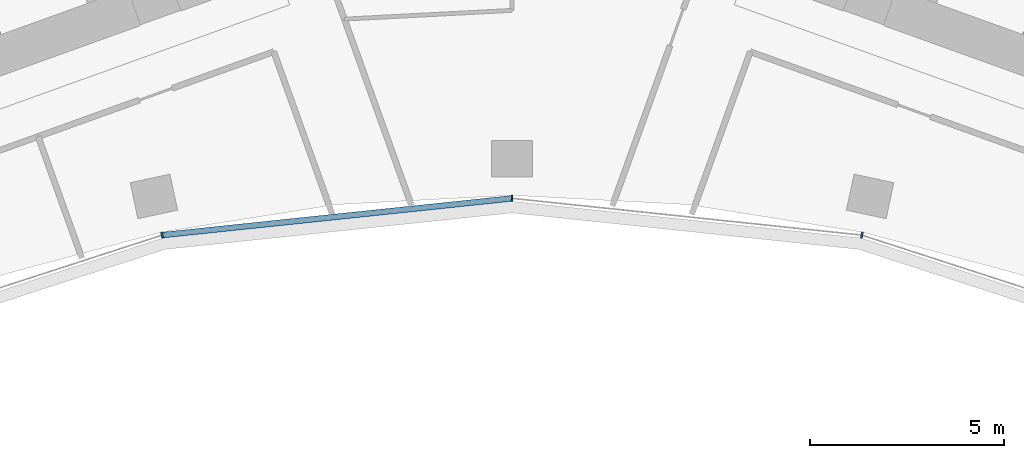
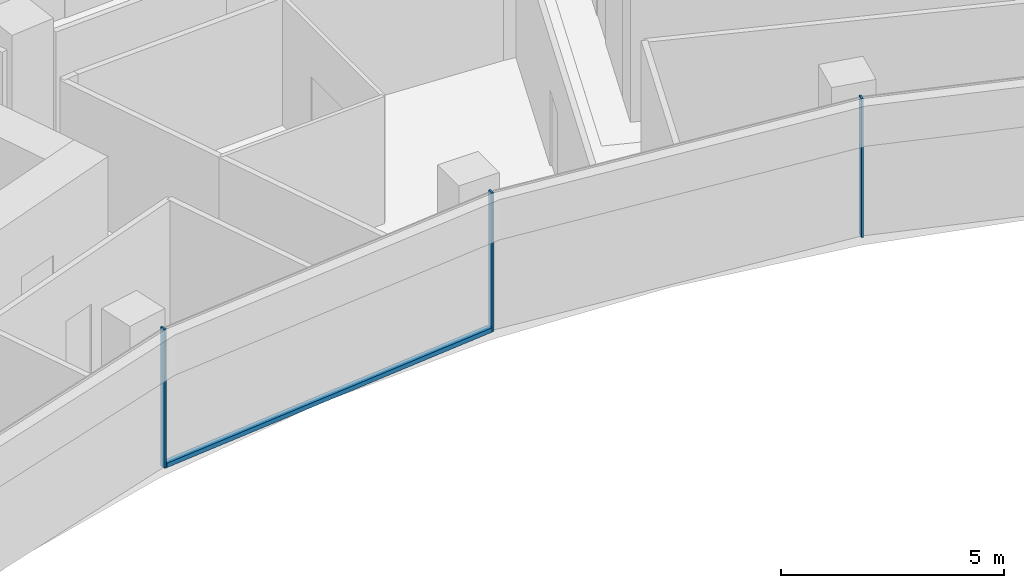
# One storey, part 4 of 20: 4 members, 1 element without a shape of its own.
"""IFC4 building model written with IfcOpenShell, lengths in metres."""

import ifcopenshell
import ifcopenshell.guid

model = None  # the IFC model being written
_history = None  # IfcOwnerHistory: only IFC2X3 demands one
_inside = {}  # id of a spatial element -> (the spatial element, [elements in it])
_under = {}  # id of a project, library or spatial element -> (it, [spatial elements below it])
_declared = {}  # id of a project -> (the project, [libraries it declares])
_typed = {}  # id of a type object -> (the type object, [elements of that type])
_made_of = {}  # id of a material, layer set ... -> (it, [elements and type objects made of it])


def new_model(schema):
    """Start an empty IFC model of exactly this schema.

    Asked for "IFC4X3", IfcOpenShell would pick the latest addendum, in which some entities
    have other attributes; the version numbers below select the first issue.
    IFC2X3 requires an IfcOwnerHistory on every rooted entity: one is made here for all.
    """
    global model, _history
    if schema == "IFC4X3":
        model = ifcopenshell.file(schema_version=(4, 3, 0, 0))
    else:
        model = ifcopenshell.file(schema=schema)
    _inside.clear()
    _under.clear()
    _declared.clear()
    _typed.clear()
    _made_of.clear()
    _history = None
    if model.schema == "IFC2X3":
        org = make("IfcOrganization", Name="unknown")
        user = make(
            "IfcPersonAndOrganization",
            ThePerson=make("IfcPerson", FamilyName="unknown"),
            TheOrganization=org,
        )
        app = make(
            "IfcApplication",
            ApplicationDeveloper=org,
            Version="unknown",
            ApplicationFullName="unknown",
            ApplicationIdentifier="unknown",
        )
        _history = make(
            "IfcOwnerHistory",
            OwningUser=user,
            OwningApplication=app,
            ChangeAction="ADDED",
            CreationDate=0,
        )
    return model


def make(cls, **values):
    """One entity of the class cls with the attributes given. An attribute that is None is left unset."""
    return model.create_entity(
        cls, **{name: value for name, value in values.items() if value is not None}
    )


def rooted(cls, **values):
    """An entity with a GlobalId (a new one), such as an element, a storey or a relation."""
    return make(cls, GlobalId=ifcopenshell.guid.new(), OwnerHistory=_history, **values)


def si_unit(unit_type, name, prefix=None):
    """IfcSIUnit, for example si_unit("LENGTHUNIT", "METRE", prefix="MILLI")."""
    return make("IfcSIUnit", UnitType=unit_type, Prefix=prefix, Name=name)


def assignment(units):
    """IfcUnitAssignment: the units of a project."""
    return None if units is None else make("IfcUnitAssignment", Units=units)


def point(xyz):
    """IfcCartesianPoint."""
    return None if xyz is None else make("IfcCartesianPoint", Coordinates=xyz)


def direction(xyz):
    """IfcDirection."""
    return None if xyz is None else make("IfcDirection", DirectionRatios=xyz)


def frame(location, z_axis=None, x_axis=None):
    """IfcAxis2Placement3D, a coordinate frame: its origin and axes. An axis left out is left unset."""
    return make(
        "IfcAxis2Placement3D",
        Location=point(location),
        Axis=direction(z_axis),
        RefDirection=direction(x_axis),
    )


def frame_2d(location, x_axis=None):
    """IfcAxis2Placement2D, a coordinate frame in the plane: its origin and x axis."""
    return make(
        "IfcAxis2Placement2D", Location=point(location), RefDirection=direction(x_axis)
    )


def origin():
    """The frame at (0, 0, 0) with its axes left unset."""
    return frame((0.0, 0.0, 0.0))


def origin_2d():
    """The frame at (0, 0) in the plane with its x axis left unset."""
    return frame_2d((0.0, 0.0))


def place(relative_to, where):
    """IfcLocalPlacement: puts the frame where relative to a parent placement (None: the world)."""
    return make(
        "IfcLocalPlacement", PlacementRelTo=relative_to, RelativePlacement=where
    )


def context(
    kind, dimensions, precision=None, world=None, true_north=None, identifier=None
):
    """IfcGeometricRepresentationContext, for example the 3D "Model" context."""
    return make(
        "IfcGeometricRepresentationContext",
        ContextIdentifier=identifier,
        ContextType=kind,
        CoordinateSpaceDimension=dimensions,
        Precision=precision,
        WorldCoordinateSystem=world,
        TrueNorth=true_north,
    )


def subcontext(parent, identifier, kind, view, scale=None):
    """IfcGeometricRepresentationSubContext, for example "Body" below "Model"."""
    return make(
        "IfcGeometricRepresentationSubContext",
        ContextIdentifier=identifier,
        ContextType=kind,
        ParentContext=parent,
        TargetScale=scale,
        TargetView=view,
    )


def project(units=None, contexts=None):
    """IfcProject with its units and contexts."""
    return rooted(
        "IfcProject",
        Name="project",
        RepresentationContexts=contexts,
        UnitsInContext=assignment(units),
    )


def spatial(cls, under=None, at=None, **own):
    """A site, building, storey or space (cls), placed at a placement, below another one or the project."""
    s = rooted(cls, ObjectPlacement=at, **own)
    if under is not None:
        _under.setdefault(under.id(), (under, []))[1].append(s)
    return s


def profile(cls, at=None, kind="AREA", **sizes):
    """A parametric profile (cls). Its sizes go by their IFC names, for example OverallWidth=200.0."""
    return make(cls, ProfileType=kind, Position=at, **sizes)


def rectangle(**sizes):
    """IfcRectangleProfileDef."""
    return profile("IfcRectangleProfileDef", **sizes)


def extrude(swept, where, along, depth):
    """IfcExtrudedAreaSolid: the profile swept, set in the frame where, extruded along a direction by depth."""
    return make(
        "IfcExtrudedAreaSolid",
        SweptArea=swept,
        Position=where,
        ExtrudedDirection=direction(along),
        Depth=depth,
    )


def shape(context_of_items, identifier, shape_type, items):
    """IfcShapeRepresentation: the items that make up one representation, for example the "Body"."""
    return make(
        "IfcShapeRepresentation",
        ContextOfItems=context_of_items,
        RepresentationIdentifier=identifier,
        RepresentationType=shape_type,
        Items=items,
    )


def material(Name=None, Category=None):
    """IfcMaterial."""
    return make("IfcMaterial", Name=Name, Category=Category)


def layer(
    of_material, thickness, ventilated=None, Name=None, Category=None, Priority=None
):
    """IfcMaterialLayer: one layer of a wall or slab, of a material (None: an air gap)."""
    return make(
        "IfcMaterialLayer",
        Material=of_material,
        LayerThickness=thickness,
        IsVentilated=ventilated,
        Name=Name,
        Category=Category,
        Priority=Priority,
    )


def layer_set(layers, Name=None):
    """IfcMaterialLayerSet."""
    return make("IfcMaterialLayerSet", MaterialLayers=layers, LayerSetName=Name)


def material_profile(
    of_material, cross_section, Name=None, Category=None, Priority=None
):
    """IfcMaterialProfile: a cross section and its material."""
    return make(
        "IfcMaterialProfile",
        Name=Name,
        Material=of_material,
        Profile=cross_section,
        Priority=Priority,
        Category=Category,
    )


def profile_set(profiles, Name=None, composite=None):
    """IfcMaterialProfileSet."""
    return make(
        "IfcMaterialProfileSet",
        Name=Name,
        MaterialProfiles=profiles,
        CompositeProfile=composite,
    )


def made_of(thing, what):
    """Note that an element or type object is made of a material, layer set ...; save() writes the relation."""
    if what is not None:
        _made_of.setdefault(what.id(), (what, []))[1].append(thing)
    return thing


def type_object(cls, material=None, **own):
    """A type object (cls), such as IfcWallType, which elements share."""
    return made_of(rooted(cls, **own), material)


def element(
    cls,
    number,
    at=None,
    inside=None,
    cuts=None,
    type_object=None,
    material=None,
    context=None,
    identifier="Body",
    shape_type=None,
    held_by="IfcProductDefinitionShape",
    body=None,
    shapes=None,
    **own,
):
    """One element of the class cls, such as IfcWall. Its Tag is "e" and its number.

    at: its placement. inside: the storey or other place that contains it. cuts: it is an
    opening in that element (IfcRelVoidsElement). A single representation is given by context,
    identifier, shape_type and body (its items); several are given by shapes. held_by: the class
    of the entity that holds the representations. save() writes the other relations.
    """
    e = rooted(cls, Tag="e%d" % number, ObjectPlacement=at, **own)
    if body is not None:
        shapes = [shape(context, identifier, shape_type, body)]
    if shapes is not None:
        e.Representation = make(held_by, Representations=shapes)
    if inside is not None:
        _inside.setdefault(inside.id(), (inside, []))[1].append(e)
    if cuts is not None:
        rooted(
            "IfcRelVoidsElement", RelatingBuildingElement=cuts, RelatedOpeningElement=e
        )
    if type_object is not None:
        _typed.setdefault(type_object.id(), (type_object, []))[1].append(e)
    return made_of(e, material)


def aggregate(whole, parts):
    """IfcRelAggregates: a whole, such as a stair, and the parts it consists of."""
    return rooted("IfcRelAggregates", RelatingObject=whole, RelatedObjects=parts)


def save(model, path):
    """Write the relations noted so far, then the file.

    IfcRelAggregates (storeys below a building ...), IfcRelContainedInSpatialStructure (elements
    in a storey), IfcRelDefinesByType, IfcRelAssociatesMaterial and IfcRelDeclares: one each for
    every whole, place, type object, material and project.
    """
    for whole, parts in _under.values():
        aggregate(whole, parts)
    for where, things in _inside.values():
        rooted(
            "IfcRelContainedInSpatialStructure",
            RelatedElements=things,
            RelatingStructure=where,
        )
    for kind, things in _typed.values():
        rooted("IfcRelDefinesByType", RelatedObjects=things, RelatingType=kind)
    for what, things in _made_of.values():
        rooted("IfcRelAssociatesMaterial", RelatedObjects=things, RelatingMaterial=what)
    for by, libraries in _declared.values():
        rooted("IfcRelDeclares", RelatingContext=by, RelatedDefinitions=libraries)
    model.write(path)


model = new_model("IFC4")

# Units and contexts
model_context = context("Model", 3, precision=1e-05, world=origin(), true_north=direction((0.0, 1.0)))
body_context = subcontext(model_context, "Body", "Model", "MODEL_VIEW")
ifc_project = project(units=[si_unit("LENGTHUNIT", "METRE"), si_unit("AREAUNIT", "SQUARE_METRE"), si_unit("VOLUMEUNIT", "CUBIC_METRE"), si_unit("PLANEANGLEUNIT", "RADIAN"), si_unit("MASSUNIT", "GRAM", prefix="KILO")], contexts=[model_context])

# Site, building, storey
site_placement = place(None, origin())
site = spatial("IfcSite", under=ifc_project, at=site_placement, CompositionType="ELEMENT")
building_placement = place(site_placement, origin())
building = spatial("IfcBuilding", under=site, at=building_placement, Name="Stone Belt Terrace Tower", CompositionType="ELEMENT")
storey_placement = place(building_placement, frame((0.0, 0.0, 201.0)))
storey = spatial("IfcBuildingStorey", under=building, at=storey_placement, Name="L48", CompositionType="ELEMENT", Elevation=201.0)

# Curtain wall, members
ifc_material = material(Name="Aluminium 6063-T6 anodised frame", Category="aluminium")
ifc_layer = layer(ifc_material, 0.14990234375)
ifc_layer_set = layer_set([ifc_layer], Name="CW-B unitised concave-face curtain wall")
curtain_wall_type = type_object("IfcCurtainWallType", Name="CW-B unitised concave-face curtain wall", PredefinedType="NOTDEFINED", material=ifc_layer_set)
curtain_wall_placement = place(storey_placement, origin())
curtain_wall = element("IfcCurtainWall", 1, at=curtain_wall_placement, inside=storey, type_object=curtain_wall_type, Name="CW-B concave face L48", PredefinedType="NOTDEFINED")
ifc_material_profile_1 = material_profile(ifc_material, rectangle(XDim=0.14990234375, YDim=0.050048828125, at=origin_2d()), Name="Aluminium 6063-T6 50x150")
ifc_profile_set_1 = profile_set([ifc_material_profile_1], Name="Aluminium 6063-T6 anodised frame")
member_type_1 = type_object("IfcMemberType", Name="CW-B mullion 50 x 150", PredefinedType="MULLION", material=ifc_profile_set_1)
member_1_placement = place(storey_placement, frame((-9.028564453125, 42.4755859375, 0.0), z_axis=(0.0, 0.0, 1.0), x_axis=(-0.207911690818, 0.978147600734, 0.0)))
member_1 = element("IfcMember", 2, at=member_1_placement, type_object=member_type_1, Name="CW-B mullion 4", PredefinedType="MULLION", context=body_context, shape_type="SweptSolid", body=[
    extrude(rectangle(XDim=0.14990234375, YDim=0.050048828125, at=origin_2d()), origin(), (0.0, 0.0, 1.0), 3.800048828125),
])
member_2_placement = place(storey_placement, frame((0.0, 43.424560546875, 0.0), z_axis=(0.0, 0.0, 1.0), x_axis=(0.0, 1.0, 0.0)))
member_2 = element("IfcMember", 3, at=member_2_placement, type_object=member_type_1, Name="CW-B mullion 5", PredefinedType="MULLION", context=body_context, shape_type="SweptSolid", body=[
    extrude(rectangle(XDim=0.14990234375, YDim=0.050048828125, at=origin_2d()), origin(), (0.0, 0.0, 1.0), 3.800048828125),
])
member_3_placement = place(storey_placement, frame((9.028564453125, 42.4755859375, 0.0), z_axis=(0.0, 0.0, 1.0), x_axis=(0.207911690818, 0.978147600734, 0.0)))
member_3 = element("IfcMember", 4, at=member_3_placement, type_object=member_type_1, Name="CW-B mullion 6", PredefinedType="MULLION", context=body_context, shape_type="SweptSolid", body=[
    extrude(rectangle(XDim=0.14990234375, YDim=0.050048828125, at=origin_2d()), origin(), (0.0, 0.0, 1.0), 3.800048828125),
])
ifc_material_profile_2 = material_profile(ifc_material, rectangle(XDim=0.14990234375, YDim=0.1201171875, at=origin_2d()), Name="Aluminium 6063-T6 150x120")
ifc_profile_set_2 = profile_set([ifc_material_profile_2], Name="Aluminium 6063-T6 anodised frame")
member_type_2 = type_object("IfcMemberType", Name="CW-B transom 120 x 150", PredefinedType="USERDEFINED", material=ifc_profile_set_2)
member_4_placement = place(storey_placement, frame((-8.995849609375, 42.47900390625, 0.06005859375), z_axis=(0.994521323407, 0.104533904969, 0.0), x_axis=(-0.104533904969, 0.994521323407, 0.0)))
member_4 = element("IfcMember", 5, at=member_4_placement, type_object=member_type_2, Name="CW-B transom 4.1", ObjectType="TRANSOM", PredefinedType="USERDEFINED", context=body_context, shape_type="SweptSolid", body=[
    extrude(rectangle(XDim=0.14990234375, YDim=0.1201171875, at=origin_2d()), origin(), (0.0, 0.0, 1.0), 9.0126953125),
])
aggregate(curtain_wall, [member_1, member_2, member_3, member_4])

save(model, "model.ifc")
